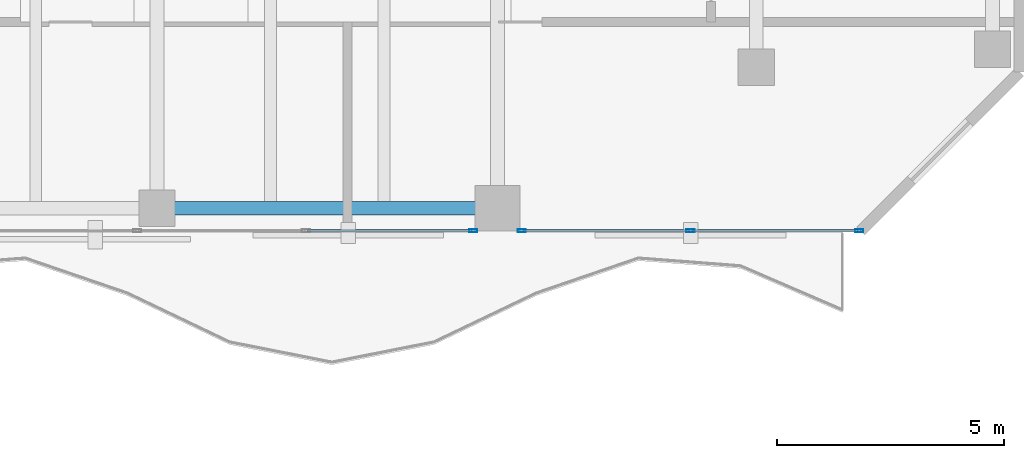
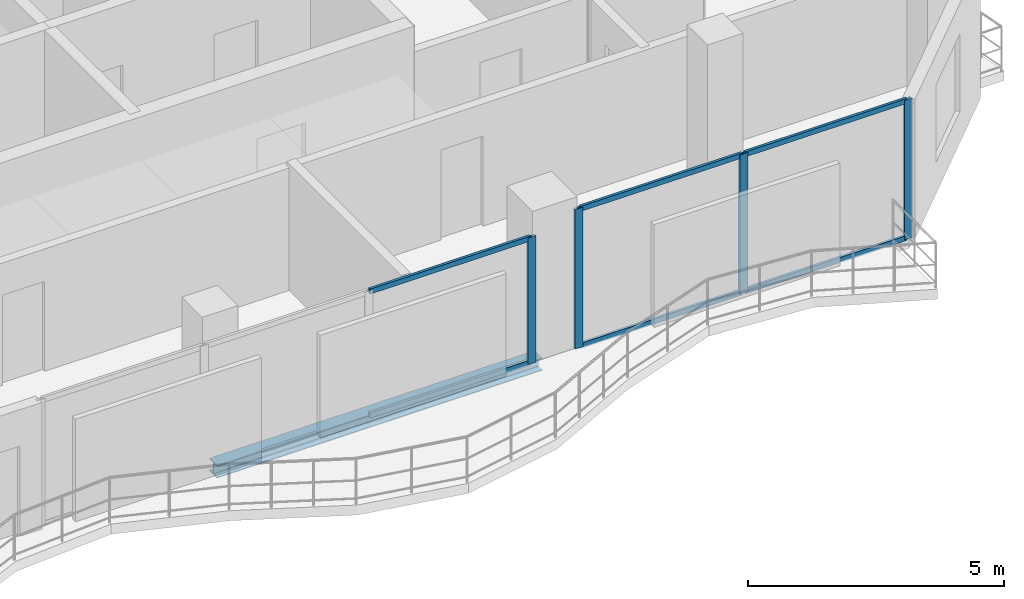
# One storey, part 12 of 23: 10 members, 1 beam, 2 elements without a shape of their own.
"""IFC4 building model written with IfcOpenShell, lengths in metres."""

from ifc_helpers import new_model, si_unit, direction, frame, origin, origin_2d, place, context, subcontext, project, spatial, hollow_rectangle, i_section, extrude, material, layer, layer_set, material_profile, profile_set, type_object, element, aggregate, save


model = new_model("IFC4")

# Units and contexts
model_context = context("Model", 3, precision=1e-05, world=origin(), true_north=direction((0.0, 1.0)))
body_context = subcontext(model_context, "Body", "Model", "MODEL_VIEW")
ifc_project = project(units=[si_unit("LENGTHUNIT", "METRE"), si_unit("AREAUNIT", "SQUARE_METRE"), si_unit("VOLUMEUNIT", "CUBIC_METRE"), si_unit("PLANEANGLEUNIT", "RADIAN"), si_unit("MASSUNIT", "GRAM", prefix="KILO")], contexts=[model_context])

# Site, building, storey
site_placement = place(None, origin())
site = spatial("IfcSite", under=ifc_project, at=site_placement, CompositionType="ELEMENT")
building_placement = place(site_placement, origin())
building = spatial("IfcBuilding", under=site, at=building_placement, Name="Catumbela Crestline Tower", CompositionType="ELEMENT")
storey_placement = place(building_placement, frame((0.0, 0.0, 172.2)))
storey = spatial("IfcBuildingStorey", under=building, at=storey_placement, Name="L44", CompositionType="ELEMENT", Elevation=172.2)

# Curtain wall, member
ifc_material_1 = material(Name="Aluminium alloy AW-6060-T66", Category="aluminium")
ifc_layer = layer(ifc_material_1, 0.18, Name="Aluminium alloy AW-6060-T66")
ifc_layer_set = layer_set([ifc_layer], Name="Aluminium alloy AW-6060-T66")
curtain_wall_type = type_object("IfcCurtainWallType", Name="CWU-Z3", PredefinedType="USERDEFINED", material=ifc_layer_set)
curtain_wall_1_placement = place(storey_placement, origin())
curtain_wall_1 = element("IfcCurtainWall", 1, at=curtain_wall_1_placement, inside=storey, type_object=curtain_wall_type, Name="L44 Unitised Curtain Wall CW-L44-E3S2", ObjectType="UNITISED", PredefinedType="USERDEFINED")
ifc_material_profile_1 = material_profile(ifc_material_1, hollow_rectangle(XDim=0.065, YDim=0.18, WallThickness=0.004, at=origin_2d()), Name="ALU 180x65x4")
ifc_profile_set_1 = profile_set([ifc_material_profile_1], Name="Aluminium alloy AW-6060-T66")
member_type_1 = type_object("IfcMemberType", Name="MUL-180X65", PredefinedType="MULLION", material=ifc_profile_set_1)
member_1_placement = place(storey_placement, frame((38.9675, 24.0, 0.0), z_axis=(0.0, 0.0, 1.0), x_axis=(0.0, 1.0, 0.0)))
member_1 = element("IfcMember", 2, at=member_1_placement, type_object=member_type_1, Name="CWU-Z3 mullion 4", PredefinedType="MULLION", context=body_context, shape_type="SweptSolid", body=[
    extrude(hollow_rectangle(XDim=0.065, YDim=0.18, WallThickness=0.004, at=origin_2d()), origin(), (0.0, 0.0, 1.0), 3.02),
])

# Curtain wall, members
curtain_wall_2_placement = place(storey_placement, origin())
curtain_wall_2 = element("IfcCurtainWall", 3, at=curtain_wall_2_placement, inside=storey, type_object=curtain_wall_type, Name="L44 Unitised Curtain Wall CW-L44-E3S3", ObjectType="UNITISED", PredefinedType="USERDEFINED")
member_2_placement = place(storey_placement, frame((40.0325, 24.0, 0.0), z_axis=(0.0, 0.0, 1.0), x_axis=(0.0, 1.0, 0.0)))
member_2 = element("IfcMember", 4, at=member_2_placement, type_object=member_type_1, Name="CWU-Z3 mullion 1", PredefinedType="MULLION", context=body_context, shape_type="SweptSolid", body=[
    extrude(hollow_rectangle(XDim=0.065, YDim=0.18, WallThickness=0.004, at=origin_2d()), origin(), (0.0, 0.0, 1.0), 3.33),
])
member_3_placement = place(storey_placement, frame((43.75, 24.0, 0.0), z_axis=(0.0, 0.0, 1.0), x_axis=(0.0, 1.0, 0.0)))
member_3 = element("IfcMember", 5, at=member_3_placement, type_object=member_type_1, Name="CWU-Z3 mullion 2", PredefinedType="MULLION", context=body_context, shape_type="SweptSolid", body=[
    extrude(hollow_rectangle(XDim=0.065, YDim=0.18, WallThickness=0.004, at=origin_2d()), origin(), (0.0, 0.0, 1.0), 3.33),
])
member_4_placement = place(storey_placement, frame((47.4675, 24.0, 0.0), z_axis=(0.0, 0.0, 1.0), x_axis=(0.0, 1.0, 0.0)))
member_4 = element("IfcMember", 6, at=member_4_placement, type_object=member_type_1, Name="CWU-Z3 mullion 3", PredefinedType="MULLION", context=body_context, shape_type="SweptSolid", body=[
    extrude(hollow_rectangle(XDim=0.065, YDim=0.18, WallThickness=0.004, at=origin_2d()), origin(), (0.0, 0.0, 1.0), 3.33),
])

# Beam
ifc_material_2 = material(Name="Structural steel S355J2", Category="steel")
ifc_material_profile_2 = material_profile(ifc_material_2, i_section(OverallWidth=0.3, OverallDepth=0.3, WebThickness=0.011, FlangeThickness=0.019, FilletRadius=0.027, at=origin_2d()), Name="HEB 300")
ifc_profile_set_2 = profile_set([ifc_material_profile_2], Name="Structural steel S355J2")
beam_type = type_object("IfcBeamType", Name="BS-HEB300", PredefinedType="SPANDREL", material=ifc_profile_set_2)
beam_placement = place(storey_placement, frame((32.08, 24.5, -0.41), z_axis=(1.0, 0.0, 0.0), x_axis=(0.0, 1.0, 0.0)))
element("IfcBeam", 7, at=beam_placement, inside=storey, type_object=beam_type, Name="L44 Spandrel SP-L44-S05", PredefinedType="SPANDREL", context=body_context, shape_type="SweptSolid", body=[
    extrude(i_section(OverallWidth=0.3, OverallDepth=0.3, WebThickness=0.011, FlangeThickness=0.019, FilletRadius=0.027, at=origin_2d()), origin(), (0.0, 0.0, 1.0), 7.34),
])

# Member
ifc_material_profile_3 = material_profile(ifc_material_1, hollow_rectangle(XDim=0.06, YDim=0.12, WallThickness=0.0035, at=origin_2d()), Name="ALU 120x60x3.5")
ifc_profile_set_3 = profile_set([ifc_material_profile_3], Name="Aluminium alloy AW-6060-T66")
member_type_2 = type_object("IfcMemberType", Name="TRN-120X60", PredefinedType="USERDEFINED", material=ifc_profile_set_3)
member_5_placement = place(storey_placement, frame((35.3158, 24.0, 0.03), z_axis=(1.0, 0.0, 0.0), x_axis=(0.0, 1.0, 0.0)))
member_5 = element("IfcMember", 8, at=member_5_placement, type_object=member_type_2, Name="CWU-Z3 transom 3.1", ObjectType="TRANSOM", PredefinedType="USERDEFINED", context=body_context, shape_type="SweptSolid", body=[
    extrude(hollow_rectangle(XDim=0.06, YDim=0.12, WallThickness=0.0035, at=origin_2d()), origin(), (0.0, 0.0, 1.0), 3.6192),
])

member_6_placement = place(storey_placement, frame((35.3158, 24.0, 2.99), z_axis=(1.0, 0.0, 0.0), x_axis=(0.0, 1.0, 0.0)))
member_6 = element("IfcMember", 9, at=member_6_placement, type_object=member_type_2, Name="CWU-Z3 transom 3.2", ObjectType="TRANSOM", PredefinedType="USERDEFINED", context=body_context, shape_type="SweptSolid", body=[
    extrude(hollow_rectangle(XDim=0.06, YDim=0.12, WallThickness=0.0035, at=origin_2d()), origin(), (0.0, 0.0, 1.0), 3.6192),
])

aggregate(curtain_wall_1, [member_1, member_5, member_6])

member_7_placement = place(storey_placement, frame((40.065, 24.0, 0.03), z_axis=(1.0, 0.0, 0.0), x_axis=(0.0, 1.0, 0.0)))
member_7 = element("IfcMember", 10, at=member_7_placement, type_object=member_type_2, Name="CWU-Z3 transom 1.1", ObjectType="TRANSOM", PredefinedType="USERDEFINED", context=body_context, shape_type="SweptSolid", body=[
    extrude(hollow_rectangle(XDim=0.06, YDim=0.12, WallThickness=0.0035, at=origin_2d()), origin(), (0.0, 0.0, 1.0), 3.6525),
])

member_8_placement = place(storey_placement, frame((40.065, 24.0, 3.3), z_axis=(1.0, 0.0, 0.0), x_axis=(0.0, 1.0, 0.0)))
member_8 = element("IfcMember", 11, at=member_8_placement, type_object=member_type_2, Name="CWU-Z3 transom 1.2", ObjectType="TRANSOM", PredefinedType="USERDEFINED", context=body_context, shape_type="SweptSolid", body=[
    extrude(hollow_rectangle(XDim=0.06, YDim=0.12, WallThickness=0.0035, at=origin_2d()), origin(), (0.0, 0.0, 1.0), 3.6525),
])

member_9_placement = place(storey_placement, frame((43.7825, 24.0, 0.03), z_axis=(1.0, 0.0, 0.0), x_axis=(0.0, 1.0, 0.0)))
member_9 = element("IfcMember", 12, at=member_9_placement, type_object=member_type_2, Name="CWU-Z3 transom 2.1", ObjectType="TRANSOM", PredefinedType="USERDEFINED", context=body_context, shape_type="SweptSolid", body=[
    extrude(hollow_rectangle(XDim=0.06, YDim=0.12, WallThickness=0.0035, at=origin_2d()), origin(), (0.0, 0.0, 1.0), 3.6525),
])

member_10_placement = place(storey_placement, frame((43.7825, 24.0, 3.3), z_axis=(1.0, 0.0, 0.0), x_axis=(0.0, 1.0, 0.0)))
member_10 = element("IfcMember", 13, at=member_10_placement, type_object=member_type_2, Name="CWU-Z3 transom 2.2", ObjectType="TRANSOM", PredefinedType="USERDEFINED", context=body_context, shape_type="SweptSolid", body=[
    extrude(hollow_rectangle(XDim=0.06, YDim=0.12, WallThickness=0.0035, at=origin_2d()), origin(), (0.0, 0.0, 1.0), 3.6525),
])

aggregate(curtain_wall_2, [member_2, member_3, member_4, member_7, member_8, member_9, member_10])

save(model, "model.ifc")
